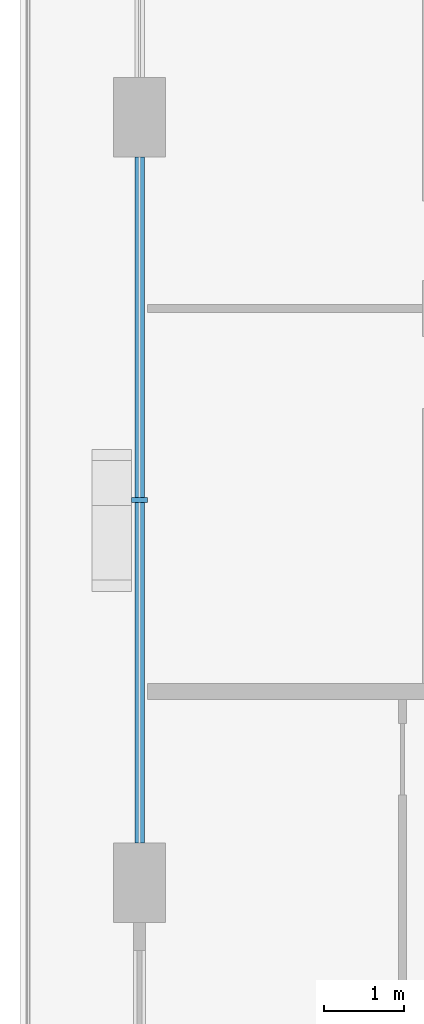
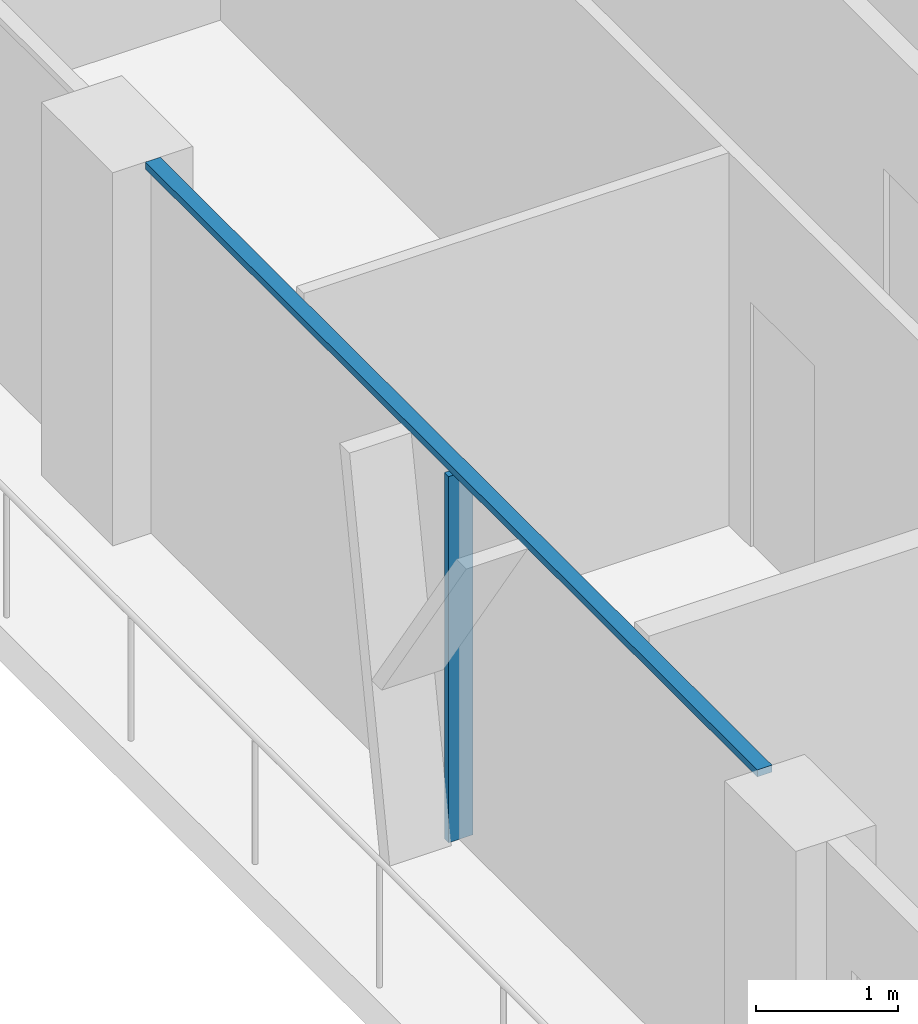
# One storey, part 3 of 22: 2 members, 1 element without a shape of its own.
"""IFC4 building model written with IfcOpenShell, lengths in metres."""

from ifc_helpers import new_model, si_unit, direction, frame, origin, origin_2d, place, context, subcontext, project, spatial, rectangle, extrude, material, layer, layer_set, material_profile, profile_set, type_object, element, aggregate, save


model = new_model("IFC4")

# Units and contexts
model_context = context("Model", 3, precision=1e-05, world=origin(), true_north=direction((0.0, 1.0)))
body_context = subcontext(model_context, "Body", "Model", "MODEL_VIEW")
ifc_project = project(units=[si_unit("LENGTHUNIT", "METRE"), si_unit("AREAUNIT", "SQUARE_METRE"), si_unit("VOLUMEUNIT", "CUBIC_METRE"), si_unit("PLANEANGLEUNIT", "RADIAN"), si_unit("MASSUNIT", "GRAM", prefix="KILO")], contexts=[model_context])

# Site, building, storey
site_placement = place(None, origin())
site = spatial("IfcSite", under=ifc_project, at=site_placement, CompositionType="ELEMENT")
building_placement = place(site_placement, origin())
building = spatial("IfcBuilding", under=site, at=building_placement, Name="Madar Terraces", CompositionType="ELEMENT")
storey_placement = place(building_placement, frame((0.0, 0.0, 178.89990234375)))
storey = spatial("IfcBuildingStorey", under=building, at=storey_placement, Name="L46", CompositionType="ELEMENT", Elevation=178.89990234375)

# Curtain wall, members
ifc_material_1 = material(Name="Glass, ceramic frit dark grey, with black aluminium frame", Category="aluminium")
ifc_layer = layer(ifc_material_1, 0.199951171875)
ifc_layer_set = layer_set([ifc_layer], Name="Facade curtain wall, fritted glass")
curtain_wall_type = type_object("IfcCurtainWallType", Name="Facade curtain wall, fritted glass", PredefinedType="NOTDEFINED", material=ifc_layer_set)
curtain_wall_placement = place(storey_placement, origin())
curtain_wall = element("IfcCurtainWall", 1, at=curtain_wall_placement, inside=storey, type_object=curtain_wall_type, Name="Outer skin curtain wall west bay 2", PredefinedType="NOTDEFINED")
ifc_material_2 = material(Name="Aluminium, black anodised", Category="aluminium")
ifc_material_profile_1 = material_profile(ifc_material_2, rectangle(XDim=0.199951171875, YDim=0.06005859375, at=origin_2d()), Name="Facade mullion 60x200")
ifc_profile_set_1 = profile_set([ifc_material_profile_1], Name="Aluminium, black anodised")
member_type_1 = type_object("IfcMemberType", Name="Facade mullion 60x200", PredefinedType="MULLION", material=ifc_profile_set_1)
member_1_placement = place(storey_placement, frame((4.800048828125, 28.800048828125, 0.0), z_axis=(0.0, 0.0, 1.0), x_axis=(1.0, 0.0, 0.0)))
member_1 = element("IfcMember", 2, at=member_1_placement, type_object=member_type_1, Name="Mullion 1", PredefinedType="MULLION", context=body_context, shape_type="SweptSolid", body=[
    extrude(rectangle(XDim=0.199951171875, YDim=0.06005859375, at=origin_2d()), origin(), (0.0, 0.0, 1.0), 3.14013671875),
])
ifc_material_3 = material(Name="Aluminium, black anodised", Category="aluminium")
ifc_material_profile_2 = material_profile(ifc_material_3, rectangle(XDim=0.1201171875, YDim=0.06005859375, at=origin_2d()), Name="Facade transom 60x120")
ifc_profile_set_2 = profile_set([ifc_material_profile_2], Name="Aluminium, black anodised")
member_type_2 = type_object("IfcMemberType", Name="Facade transom 60x120", PredefinedType="USERDEFINED", material=ifc_profile_set_2)
member_2_placement = place(storey_placement, frame((4.800048828125, 33.10009765625, 3.170166015625), z_axis=(0.0, -1.0, 0.0), x_axis=(1.0, 0.0, 0.0)))
member_2 = element("IfcMember", 3, at=member_2_placement, type_object=member_type_2, Name="Transom 1", ObjectType="TRANSOM", PredefinedType="USERDEFINED", context=body_context, shape_type="SweptSolid", body=[
    extrude(rectangle(XDim=0.1201171875, YDim=0.06005859375, at=origin_2d()), origin(), (0.0, 0.0, 1.0), 8.60009765625),
])
aggregate(curtain_wall, [member_1, member_2])

save(model, "model.ifc")
